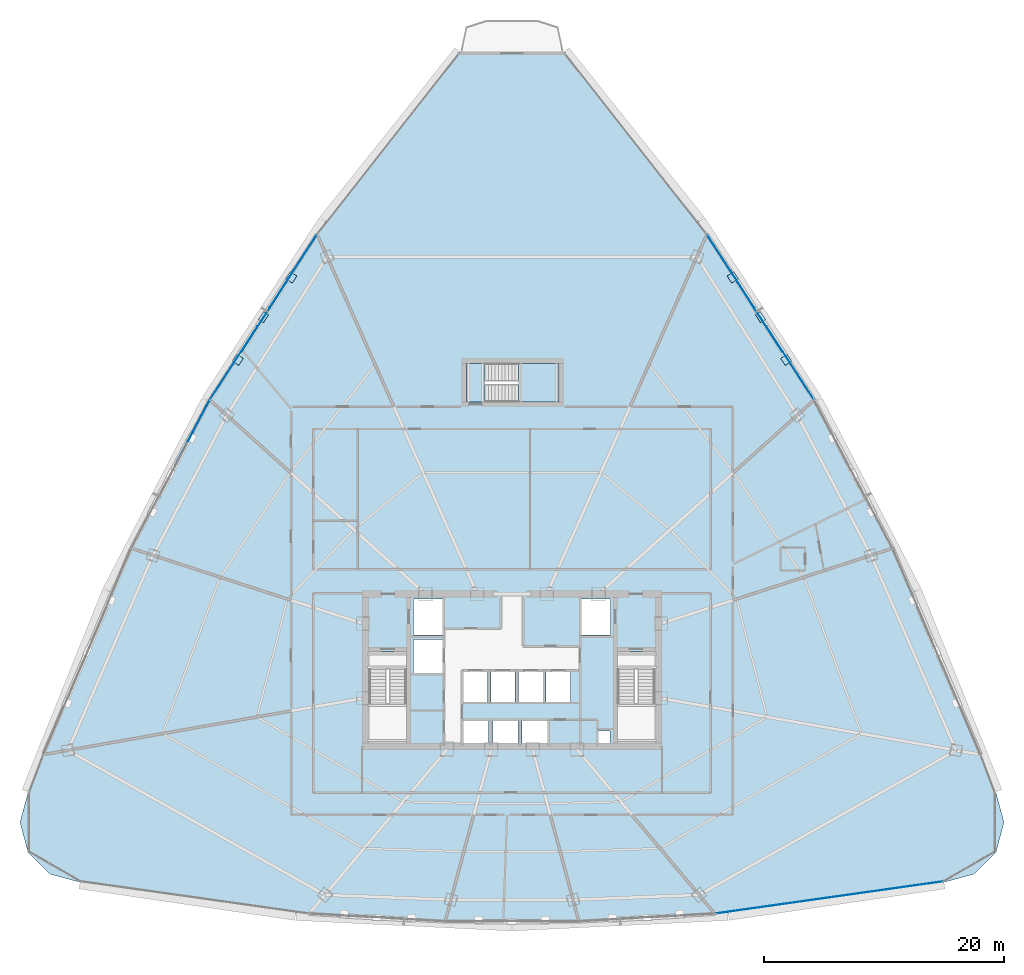
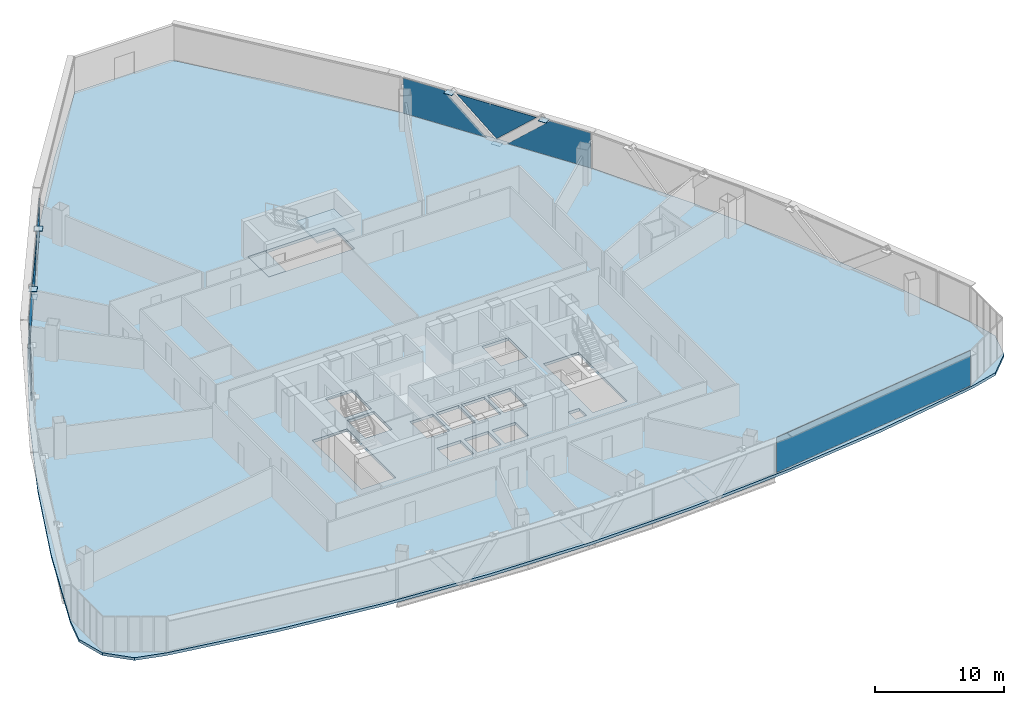
# One storey, part 32 of 42: 14 plates, 3 slabs, 5 elements without a shape of their own.
"""IFC4 building model written with IfcOpenShell, lengths in metres."""

import ifcopenshell
import ifcopenshell.guid

model = None  # the IFC model being written
_history = None  # IfcOwnerHistory: only IFC2X3 demands one
_inside = {}  # id of a spatial element -> (the spatial element, [elements in it])
_under = {}  # id of a project, library or spatial element -> (it, [spatial elements below it])
_declared = {}  # id of a project -> (the project, [libraries it declares])
_typed = {}  # id of a type object -> (the type object, [elements of that type])
_made_of = {}  # id of a material, layer set ... -> (it, [elements and type objects made of it])


def new_model(schema):
    """Start an empty IFC model of exactly this schema.

    Asked for "IFC4X3", IfcOpenShell would pick the latest addendum, in which some entities
    have other attributes; the version numbers below select the first issue.
    IFC2X3 requires an IfcOwnerHistory on every rooted entity: one is made here for all.
    """
    global model, _history
    if schema == "IFC4X3":
        model = ifcopenshell.file(schema_version=(4, 3, 0, 0))
    else:
        model = ifcopenshell.file(schema=schema)
    _inside.clear()
    _under.clear()
    _declared.clear()
    _typed.clear()
    _made_of.clear()
    _history = None
    if model.schema == "IFC2X3":
        org = make("IfcOrganization", Name="unknown")
        user = make(
            "IfcPersonAndOrganization",
            ThePerson=make("IfcPerson", FamilyName="unknown"),
            TheOrganization=org,
        )
        app = make(
            "IfcApplication",
            ApplicationDeveloper=org,
            Version="unknown",
            ApplicationFullName="unknown",
            ApplicationIdentifier="unknown",
        )
        _history = make(
            "IfcOwnerHistory",
            OwningUser=user,
            OwningApplication=app,
            ChangeAction="ADDED",
            CreationDate=0,
        )
    return model


def make(cls, **values):
    """One entity of the class cls with the attributes given. An attribute that is None is left unset."""
    return model.create_entity(
        cls, **{name: value for name, value in values.items() if value is not None}
    )


def rooted(cls, **values):
    """An entity with a GlobalId (a new one), such as an element, a storey or a relation."""
    return make(cls, GlobalId=ifcopenshell.guid.new(), OwnerHistory=_history, **values)


def si_unit(unit_type, name, prefix=None):
    """IfcSIUnit, for example si_unit("LENGTHUNIT", "METRE", prefix="MILLI")."""
    return make("IfcSIUnit", UnitType=unit_type, Prefix=prefix, Name=name)


def assignment(units):
    """IfcUnitAssignment: the units of a project."""
    return None if units is None else make("IfcUnitAssignment", Units=units)


def point(xyz):
    """IfcCartesianPoint."""
    return None if xyz is None else make("IfcCartesianPoint", Coordinates=xyz)


def direction(xyz):
    """IfcDirection."""
    return None if xyz is None else make("IfcDirection", DirectionRatios=xyz)


def frame(location, z_axis=None, x_axis=None):
    """IfcAxis2Placement3D, a coordinate frame: its origin and axes. An axis left out is left unset."""
    return make(
        "IfcAxis2Placement3D",
        Location=point(location),
        Axis=direction(z_axis),
        RefDirection=direction(x_axis),
    )


def frame_2d(location, x_axis=None):
    """IfcAxis2Placement2D, a coordinate frame in the plane: its origin and x axis."""
    return make(
        "IfcAxis2Placement2D", Location=point(location), RefDirection=direction(x_axis)
    )


def origin():
    """The frame at (0, 0, 0) with its axes left unset."""
    return frame((0.0, 0.0, 0.0))


def origin_2d():
    """The frame at (0, 0) in the plane with its x axis left unset."""
    return frame_2d((0.0, 0.0))


def place(relative_to, where):
    """IfcLocalPlacement: puts the frame where relative to a parent placement (None: the world)."""
    return make(
        "IfcLocalPlacement", PlacementRelTo=relative_to, RelativePlacement=where
    )


def context(
    kind, dimensions, precision=None, world=None, true_north=None, identifier=None
):
    """IfcGeometricRepresentationContext, for example the 3D "Model" context."""
    return make(
        "IfcGeometricRepresentationContext",
        ContextIdentifier=identifier,
        ContextType=kind,
        CoordinateSpaceDimension=dimensions,
        Precision=precision,
        WorldCoordinateSystem=world,
        TrueNorth=true_north,
    )


def subcontext(parent, identifier, kind, view, scale=None):
    """IfcGeometricRepresentationSubContext, for example "Body" below "Model"."""
    return make(
        "IfcGeometricRepresentationSubContext",
        ContextIdentifier=identifier,
        ContextType=kind,
        ParentContext=parent,
        TargetScale=scale,
        TargetView=view,
    )


def project(units=None, contexts=None):
    """IfcProject with its units and contexts."""
    return rooted(
        "IfcProject",
        Name="project",
        RepresentationContexts=contexts,
        UnitsInContext=assignment(units),
    )


def spatial(cls, under=None, at=None, **own):
    """A site, building, storey or space (cls), placed at a placement, below another one or the project."""
    s = rooted(cls, ObjectPlacement=at, **own)
    if under is not None:
        _under.setdefault(under.id(), (under, []))[1].append(s)
    return s


def polyline(points):
    """IfcPolyline through the points."""
    return make("IfcPolyline", Points=[point(p) for p in points])


def profile(cls, at=None, kind="AREA", **sizes):
    """A parametric profile (cls). Its sizes go by their IFC names, for example OverallWidth=200.0."""
    return make(cls, ProfileType=kind, Position=at, **sizes)


def rectangle(**sizes):
    """IfcRectangleProfileDef."""
    return profile("IfcRectangleProfileDef", **sizes)


def outline(outer, holes=None, kind="AREA"):
    """IfcArbitraryClosedProfileDef: a profile drawn as a closed curve; with holes, ...WithVoids."""
    if holes is None:
        return make("IfcArbitraryClosedProfileDef", ProfileType=kind, OuterCurve=outer)
    return make(
        "IfcArbitraryProfileDefWithVoids",
        ProfileType=kind,
        OuterCurve=outer,
        InnerCurves=holes,
    )


def extrude(swept, where, along, depth):
    """IfcExtrudedAreaSolid: the profile swept, set in the frame where, extruded along a direction by depth."""
    return make(
        "IfcExtrudedAreaSolid",
        SweptArea=swept,
        Position=where,
        ExtrudedDirection=direction(along),
        Depth=depth,
    )


def shape(context_of_items, identifier, shape_type, items):
    """IfcShapeRepresentation: the items that make up one representation, for example the "Body"."""
    return make(
        "IfcShapeRepresentation",
        ContextOfItems=context_of_items,
        RepresentationIdentifier=identifier,
        RepresentationType=shape_type,
        Items=items,
    )


def source(mapping_origin, context_of_items, identifier, shape_type, items):
    """IfcRepresentationMap: a shape defined once, which mapped items show again and again."""
    return make(
        "IfcRepresentationMap",
        MappingOrigin=mapping_origin,
        MappedRepresentation=shape(context_of_items, identifier, shape_type, items),
    )


def transform(
    local_origin,
    x_axis=None,
    y_axis=None,
    z_axis=None,
    scale=None,
    scale2=None,
    scale3=None,
    uniform=True,
):
    """IfcCartesianTransformationOperator3D, or its non-uniform kind. x_axis, y_axis, z_axis: its Axis1, 2, 3."""
    if uniform:
        return make(
            "IfcCartesianTransformationOperator3D",
            Axis1=direction(x_axis),
            Axis2=direction(y_axis),
            LocalOrigin=point(local_origin),
            Scale=scale,
            Axis3=direction(z_axis),
        )
    return make(
        "IfcCartesianTransformationOperator3DnonUniform",
        Axis1=direction(x_axis),
        Axis2=direction(y_axis),
        LocalOrigin=point(local_origin),
        Scale=scale,
        Axis3=direction(z_axis),
        Scale2=scale2,
        Scale3=scale3,
    )


def mapped(mapping_source, mapping_target):
    """IfcMappedItem: shows the shape of a source again, moved by a transform."""
    return make(
        "IfcMappedItem", MappingSource=mapping_source, MappingTarget=mapping_target
    )


def material(Name=None, Category=None):
    """IfcMaterial."""
    return make("IfcMaterial", Name=Name, Category=Category)


def layer(
    of_material, thickness, ventilated=None, Name=None, Category=None, Priority=None
):
    """IfcMaterialLayer: one layer of a wall or slab, of a material (None: an air gap)."""
    return make(
        "IfcMaterialLayer",
        Material=of_material,
        LayerThickness=thickness,
        IsVentilated=ventilated,
        Name=Name,
        Category=Category,
        Priority=Priority,
    )


def layer_set(layers, Name=None):
    """IfcMaterialLayerSet."""
    return make("IfcMaterialLayerSet", MaterialLayers=layers, LayerSetName=Name)


def made_of(thing, what):
    """Note that an element or type object is made of a material, layer set ...; save() writes the relation."""
    if what is not None:
        _made_of.setdefault(what.id(), (what, []))[1].append(thing)
    return thing


def type_object(cls, material=None, **own):
    """A type object (cls), such as IfcWallType, which elements share."""
    return made_of(rooted(cls, **own), material)


def element(
    cls,
    number,
    at=None,
    inside=None,
    cuts=None,
    type_object=None,
    material=None,
    context=None,
    identifier="Body",
    shape_type=None,
    held_by="IfcProductDefinitionShape",
    body=None,
    shapes=None,
    **own,
):
    """One element of the class cls, such as IfcWall. Its Tag is "e" and its number.

    at: its placement. inside: the storey or other place that contains it. cuts: it is an
    opening in that element (IfcRelVoidsElement). A single representation is given by context,
    identifier, shape_type and body (its items); several are given by shapes. held_by: the class
    of the entity that holds the representations. save() writes the other relations.
    """
    e = rooted(cls, Tag="e%d" % number, ObjectPlacement=at, **own)
    if body is not None:
        shapes = [shape(context, identifier, shape_type, body)]
    if shapes is not None:
        e.Representation = make(held_by, Representations=shapes)
    if inside is not None:
        _inside.setdefault(inside.id(), (inside, []))[1].append(e)
    if cuts is not None:
        rooted(
            "IfcRelVoidsElement", RelatingBuildingElement=cuts, RelatedOpeningElement=e
        )
    if type_object is not None:
        _typed.setdefault(type_object.id(), (type_object, []))[1].append(e)
    return made_of(e, material)


def aggregate(whole, parts):
    """IfcRelAggregates: a whole, such as a stair, and the parts it consists of."""
    return rooted("IfcRelAggregates", RelatingObject=whole, RelatedObjects=parts)


def save(model, path):
    """Write the relations noted so far, then the file.

    IfcRelAggregates (storeys below a building ...), IfcRelContainedInSpatialStructure (elements
    in a storey), IfcRelDefinesByType, IfcRelAssociatesMaterial and IfcRelDeclares: one each for
    every whole, place, type object, material and project.
    """
    for whole, parts in _under.values():
        aggregate(whole, parts)
    for where, things in _inside.values():
        rooted(
            "IfcRelContainedInSpatialStructure",
            RelatedElements=things,
            RelatingStructure=where,
        )
    for kind, things in _typed.values():
        rooted("IfcRelDefinesByType", RelatedObjects=things, RelatingType=kind)
    for what, things in _made_of.values():
        rooted("IfcRelAssociatesMaterial", RelatedObjects=things, RelatingMaterial=what)
    for by, libraries in _declared.values():
        rooted("IfcRelDeclares", RelatingContext=by, RelatedDefinitions=libraries)
    model.write(path)


model = new_model("IFC4")

# Units and contexts
model_context = context("Model", 3, precision=1e-05, world=origin(), true_north=direction((0.0, 1.0)))
body_context = subcontext(model_context, "Body", "Model", "MODEL_VIEW")
ifc_project = project(units=[si_unit("LENGTHUNIT", "METRE"), si_unit("AREAUNIT", "SQUARE_METRE"), si_unit("VOLUMEUNIT", "CUBIC_METRE"), si_unit("PLANEANGLEUNIT", "RADIAN"), si_unit("MASSUNIT", "GRAM", prefix="KILO"), si_unit("THERMODYNAMICTEMPERATUREUNIT", "KELVIN"), si_unit("POWERUNIT", "WATT")], contexts=[model_context])

# Site, building, storey
site_placement = place(None, origin())
site = spatial("IfcSite", under=ifc_project, at=site_placement, CompositionType="ELEMENT")
building_placement = place(site_placement, origin())
building = spatial("IfcBuilding", under=site, at=building_placement, Name="Yunzhuo Pagoda Commons", CompositionType="ELEMENT")
storey_placement = place(building_placement, frame((0.0, 0.0, 137.18994140625)))
storey = spatial("IfcBuildingStorey", under=building, at=storey_placement, Name="L34", CompositionType="ELEMENT", Elevation=137.18994140625)

# Curtain wall, plates
ifc_material_1 = material(Name="Anodized aluminium 6063-T6", Category="aluminium")
ifc_layer_1 = layer(ifc_material_1, 0.14990234375)
ifc_layer_set_1 = layer_set([ifc_layer_1], Name="Anodized aluminium 6063-T6")
curtain_wall_type = type_object("IfcCurtainWallType", Name="CW-MID Mid-Zone Ribbon Curtain Wall", PredefinedType="NOTDEFINED", material=ifc_layer_set_1)
curtain_wall_1_placement = place(storey_placement, origin())
curtain_wall_1 = element("IfcCurtainWall", 1, at=curtain_wall_1_placement, inside=storey, type_object=curtain_wall_type, Name="L34 curtain wall CW-L34-F2B4", PredefinedType="NOTDEFINED")
ifc_material_2 = material(Name="Tempered low-e double glazing", Category="glass")
ifc_layer_2 = layer(ifc_material_2, 0.028076171875)
ifc_layer_set_2 = layer_set([ifc_layer_2], Name="Tempered low-e double glazing")
plate_type_1 = type_object("IfcPlateType", Name="CW-MID-P Low-E Double Glazing 28", PredefinedType="CURTAIN_PANEL", material=ifc_layer_set_2)
plate_1_placement = place(storey_placement, frame((71.161376953125, 59.44677734375, 1.7099609375), z_axis=(0.839249165596, 0.543747034977, 0.0), x_axis=(-0.543747034977, 0.839249165596, 0.0)))
plate_1 = element("IfcPlate", 2, at=plate_1_placement, type_object=plate_type_1, Name="CW panel 1.1 lite 1", PredefinedType="CURTAIN_PANEL", context=body_context, shape_type="SweptSolid", body=[
    extrude(outline(polyline([(-3.619384765625, -1.655029296875), (3.619384765625, -1.655029296875), (-0.077392578125, 1.655029296875), (-3.619384765625, 1.655029296875), (-3.619384765625, -1.655029296875)])), origin(), (0.0, 0.0, 1.0), 0.028076171875),
])
plate_2_placement = place(storey_placement, frame((68.66748046875, 63.2412109375, 1.8076171875), z_axis=(0.839249165596, 0.543747034977, 0.0), x_axis=(-0.543747034977, 0.839249165596, 0.0)))
plate_2 = element("IfcPlate", 3, at=plate_2_placement, type_object=plate_type_1, Name="CW panel 1.1 lite 2", PredefinedType="CURTAIN_PANEL", context=body_context, shape_type="SweptSolid", body=[
    extrude(outline(polyline([(-3.478759765625, 1.5576171875), (0.0, -1.557373046875), (3.478759765625, 1.5576171875), (-3.478759765625, 1.5576171875)])), origin(), (0.0, 0.0, 1.0), 0.028076171875),
])
plate_3_placement = place(storey_placement, frame((66.2236328125, 67.068359375, 1.7099609375), z_axis=(0.839249165596, 0.543747034977, 0.0), x_axis=(-0.543747034977, 0.839249165596, 0.0)))
plate_3 = element("IfcPlate", 4, at=plate_3_placement, type_object=plate_type_1, Name="CW panel 1.1 lite 3", PredefinedType="CURTAIN_PANEL", context=body_context, shape_type="SweptSolid", body=[
    extrude(outline(polyline([(-3.619140625, -1.655029296875), (3.619140625, -1.655029296875), (3.619140625, 1.655029296875), (0.077392578125, 1.655029296875), (-3.619140625, -1.655029296875)])), origin(), (0.0, 0.0, 1.0), 0.028076171875),
])
aggregate(curtain_wall_1, [plate_1, plate_2, plate_3])

curtain_wall_2_placement = place(storey_placement, origin())
curtain_wall_2 = element("IfcCurtainWall", 5, at=curtain_wall_2_placement, inside=storey, type_object=curtain_wall_type, Name="L34 curtain wall CW-L34-F3B2", PredefinedType="NOTDEFINED")
plate_4_placement = place(storey_placement, frame((29.7763671875, 67.068359375, 1.7099609375), z_axis=(-0.839249165596, 0.543747034977, 0.0), x_axis=(-0.543747034977, -0.839249165596, 0.0)))
plate_4 = element("IfcPlate", 6, at=plate_4_placement, type_object=plate_type_1, Name="CW panel 1.1 lite 1", PredefinedType="CURTAIN_PANEL", context=body_context, shape_type="SweptSolid", body=[
    extrude(outline(polyline([(-3.619140625, -1.655029296875), (3.619140625, -1.655029296875), (-0.077392578125, 1.655029296875), (-3.619140625, 1.655029296875), (-3.619140625, -1.655029296875)])), origin(), (0.0, 0.0, 1.0), 0.028076171875),
])
plate_5_placement = place(storey_placement, frame((27.33251953125, 63.2412109375, 1.8076171875), z_axis=(-0.839249165596, 0.543747034977, 0.0), x_axis=(-0.543747034977, -0.839249165596, 0.0)))
plate_5 = element("IfcPlate", 7, at=plate_5_placement, type_object=plate_type_1, Name="CW panel 1.1 lite 2", PredefinedType="CURTAIN_PANEL", context=body_context, shape_type="SweptSolid", body=[
    extrude(outline(polyline([(-3.478759765625, 1.5576171875), (0.0, -1.557373046875), (3.478759765625, 1.5576171875), (-3.478759765625, 1.5576171875)])), origin(), (0.0, 0.0, 1.0), 0.028076171875),
])
plate_6_placement = place(storey_placement, frame((24.838623046875, 59.44677734375, 1.7099609375), z_axis=(-0.839249165596, 0.543747034977, 0.0), x_axis=(-0.543747034977, -0.839249165596, 0.0)))
plate_6 = element("IfcPlate", 8, at=plate_6_placement, type_object=plate_type_1, Name="CW panel 1.1 lite 3", PredefinedType="CURTAIN_PANEL", context=body_context, shape_type="SweptSolid", body=[
    extrude(outline(polyline([(-3.619384765625, -1.655029296875), (3.619384765625, -1.655029296875), (3.619384765625, 1.655029296875), (0.077392578125, 1.655029296875), (-3.619384765625, -1.655029296875)])), origin(), (0.0, 0.0, 1.0), 0.028076171875),
])
aggregate(curtain_wall_2, [plate_4, plate_5, plate_6])

# Curtain wall, plate
curtain_wall_3_placement = place(storey_placement, origin())
curtain_wall_3 = element("IfcCurtainWall", 9, at=curtain_wall_3_placement, inside=storey, type_object=curtain_wall_type, Name="L34 curtain wall CW-L34-F3B3", PredefinedType="NOTDEFINED")
plate_7_placement = place(storey_placement, frame((21.380615234375, 53.607421875, 1.7099609375), z_axis=(-0.883694161172, 0.468064770635, 0.0), x_axis=(-0.468064770635, -0.883694161172, 0.0)))
plate_7 = element("IfcPlate", 10, at=plate_7_placement, type_object=plate_type_1, Name="CW panel 1.1 lite 1", PredefinedType="CURTAIN_PANEL", context=body_context, shape_type="SweptSolid", body=[
    extrude(outline(polyline([(-3.054931640625, -1.655029296875), (3.054931640625, -1.655029296875), (-0.090087890625, 1.655029296875), (-3.054931640625, 1.655029296875), (-3.054931640625, -1.655029296875)])), origin(), (0.0, 0.0, 1.0), 0.028076171875),
])
aggregate(curtain_wall_3, [plate_7])

# Stair, slabs
ifc_material_3 = material(Name="Concrete C40", Category="concrete")
stair_type = type_object("IfcStairType", Name="ST-C3 North Tower Smokeproof Stair ST3", PredefinedType="HALF_TURN_STAIR", material=ifc_material_3)
stair_placement = place(storey_placement, origin())
stair = element("IfcStair", 11, at=stair_placement, inside=storey, type_object=stair_type, Name="L34 North tower smokeproof stair ST3", PredefinedType="HALF_TURN_STAIR")
ifc_layer_3 = layer(ifc_material_3, 0.2041015625)
ifc_layer_set_3 = layer_set([ifc_layer_3], Name="Concrete C40")
slab_type_1 = type_object("IfcSlabType", Name="SL-LND5 North Landing Slab 204", PredefinedType="LANDING", material=ifc_layer_set_3)
slab_1_placement = place(storey_placement, frame((0.0, 0.0, 1.64013671875)))
slab_1 = element("IfcSlab", 12, at=slab_1_placement, type_object=slab_type_1, Name="ST3 landing 1", PredefinedType="LANDING", context=body_context, shape_type="SweptSolid", body=[
    extrude(outline(polyline([(48.550048828125, 56.199951171875), (51.89990234375, 56.199951171875), (51.89990234375, 59.39990234375), (48.550048828125, 59.39990234375), (48.550048828125, 56.199951171875)])), origin(), (0.0, 0.0, 1.0), 0.199951171875),
])
slab_2_placement = place(storey_placement, frame((0.0, 0.0, -0.199951171875)))
slab_2 = element("IfcSlab", 13, at=slab_2_placement, type_object=slab_type_1, Name="ST3 floor landing L34", PredefinedType="LANDING", context=body_context, shape_type="SweptSolid", body=[
    extrude(outline(polyline([(44.199951171875, 56.199951171875), (45.75, 56.199951171875), (45.75, 59.39990234375), (44.199951171875, 59.39990234375), (44.199951171875, 56.199951171875)])), origin(), (0.0, 0.0, 1.0), 0.199951171875),
])
aggregate(stair, [slab_1, slab_2])

# Slab
ifc_layer_4 = layer(ifc_material_3, 0.260009765625)
ifc_layer_set_4 = layer_set([ifc_layer_4], Name="Concrete C40")
slab_type_2 = type_object("IfcSlabType", Name="SL-TWR Typical Tower Floor Slab 260", PredefinedType="FLOOR", material=ifc_layer_set_4)
slab_3_placement = place(storey_placement, frame((0.0, 0.0, -0.260009765625)))
element("IfcSlab", 14, at=slab_3_placement, inside=storey, type_object=slab_type_2, Name="L34 structural floor slab", PredefinedType="FLOOR", context=body_context, shape_type="SweptSolid", body=[
    extrude(outline(polyline([(10.864013671875, 32.16552734375), (14.41943359375, 40.42919921875), (18.353515625, 48.47216796875), (22.665771484375, 56.294189453125), (27.3564453125, 63.895263671875), (32.425537109375, 71.275390625), (37.872802734375, 78.434814453125), (43.69873046875, 85.37353515625), (52.30126953125, 85.37353515625), (58.127197265625, 78.434814453125), (63.574462890625, 71.275390625), (68.6435546875, 63.895263671875), (73.334228515625, 56.294189453125), (77.646484375, 48.47216796875), (81.58056640625, 40.42919921875), (85.135986328125, 32.16552734375), (88.3134765625, 23.680908203125), (88.99267578125, 21.18798828125), (88.331298828125, 18.690185546875), (86.507568359375, 16.85986328125), (84.01220703125, 16.189697265625), (75.009033203125, 14.65625), (66.006103515625, 13.56103515625), (57.0029296875, 12.90380859375), (48.0, 12.684814453125), (38.9970703125, 12.90380859375), (29.993896484375, 13.56103515625), (20.990966796875, 14.65625), (11.98779296875, 16.189697265625), (9.492431640625, 16.85986328125), (7.668701171875, 18.690185546875), (7.00732421875, 21.18798828125), (7.6865234375, 23.680908203125), (10.864013671875, 32.16552734375)]), holes=[polyline([(46.050048828125, 29.64990234375), (43.949951171875, 29.64990234375), (43.949951171875, 27.60009765625), (46.050048828125, 27.60009765625), (46.050048828125, 29.64990234375)]), polyline([(48.5, 27.60009765625), (48.5, 29.64990234375), (46.39990234375, 29.64990234375), (46.39990234375, 27.60009765625), (48.5, 27.60009765625)]), polyline([(36.10009765625, 27.800048828125), (39.199951171875, 27.800048828125), (39.199951171875, 35.39990234375), (36.10009765625, 35.39990234375), (36.10009765625, 27.800048828125)]), polyline([(45.969970703125, 31.199951171875), (45.969970703125, 33.800048828125), (43.929931640625, 33.800048828125), (43.929931640625, 31.199951171875), (45.969970703125, 31.199951171875)]), polyline([(48.27001953125, 31.199951171875), (48.27001953125, 33.800048828125), (46.22998046875, 33.800048828125), (46.22998046875, 31.199951171875), (48.27001953125, 31.199951171875)]), polyline([(42.199951171875, 33.60009765625), (42.199951171875, 36.39990234375), (39.800048828125, 36.39990234375), (39.800048828125, 33.60009765625), (42.199951171875, 33.60009765625)]), polyline([(42.199951171875, 36.800048828125), (42.199951171875, 39.800048828125), (39.800048828125, 39.800048828125), (39.800048828125, 36.800048828125), (42.199951171875, 36.800048828125)]), polyline([(56.179931640625, 28.800048828125), (55.179931640625, 28.800048828125), (55.179931640625, 27.699951171875), (56.179931640625, 27.699951171875), (56.179931640625, 28.800048828125)]), polyline([(50.949951171875, 27.60009765625), (50.949951171875, 29.64990234375), (48.85009765625, 29.64990234375), (48.85009765625, 27.60009765625), (50.949951171875, 27.60009765625)]), polyline([(56.800048828125, 27.800048828125), (59.89990234375, 27.800048828125), (59.89990234375, 35.39990234375), (56.800048828125, 35.39990234375), (56.800048828125, 27.800048828125)]), polyline([(50.570068359375, 31.199951171875), (50.570068359375, 33.800048828125), (48.530029296875, 33.800048828125), (48.530029296875, 31.199951171875), (50.570068359375, 31.199951171875)]), polyline([(52.8701171875, 31.199951171875), (52.8701171875, 33.800048828125), (50.830078125, 33.800048828125), (50.830078125, 31.199951171875), (52.8701171875, 31.199951171875)]), polyline([(56.199951171875, 36.800048828125), (56.199951171875, 39.800048828125), (53.800048828125, 39.800048828125), (53.800048828125, 36.800048828125), (56.199951171875, 36.800048828125)]), polyline([(51.89990234375, 56.199951171875), (51.89990234375, 59.39990234375), (44.199951171875, 59.39990234375), (44.199951171875, 56.199951171875), (51.89990234375, 56.199951171875)])]), origin(), (0.0, 0.0, 1.0), 0.260009765625),
])

# Plates
ifc_material_4 = material(Name="Structural steel Q355B", Category="steel")
ifc_layer_5 = layer(ifc_material_4, 0.028076171875)
ifc_layer_set_5 = layer_set([ifc_layer_5], Name="Structural steel Q355B")
plate_type_2 = type_object("IfcPlateType", Name="SP-ND1 Lattice Node Cap Plate 800x500x28", PredefinedType="USERDEFINED", material=ifc_layer_set_5)
shared_shape_1 = source(origin(), body_context, "Body", "SweptSolid", [
    extrude(rectangle(XDim=0.800048828125, YDim=0.5, at=origin_2d()), origin(), (0.0, 0.0, 1.0), 0.028076171875),
])
for number, where, z_axis, x_axis, name in (
    (15, (68.704345703125, 63.26513671875, -0.27392578125), (0.0, 0.0, 1.0), (-0.543745835187, 0.839249942935, 0.0), "L34 diamond node plate F2.3A"),
    (16, (27.295654296875, 63.26513671875, -0.27392578125), (0.0, 0.0, 1.0), (-0.543745835187, -0.839249942935, 0.0), "L34 diamond node plate F3.1A"),
):
    element("IfcPlate", number, at=place(storey_placement, frame(where, z_axis=z_axis, x_axis=x_axis)), inside=storey, type_object=plate_type_2, Name=name, ObjectType="STIFFENER_PLATE", PredefinedType="USERDEFINED", context=body_context, shape_type="MappedRepresentation", body=[
        mapped(shared_shape_1, transform((0.0, 0.0, 0.0), scale=1.0)),
    ])
shared_shape_2 = source(origin(), body_context, "Body", "SweptSolid", [
    extrude(rectangle(XDim=0.699951171875, YDim=0.63818359375, at=origin_2d()), origin(), (0.0, 0.0, 1.0), 0.035888671875),
])
for number, where, z_axis, x_axis, name in (
    (17, (70.843994140625, 59.707763671875, 3.38232421875), (0.0, 0.0, 1.0), (-0.543745835187, 0.839249942935, 0.0), "L34 setback lattice tie plate F2.3L"),
    (18, (25.156005859375, 59.707763671875, 3.38232421875), (0.0, 0.0, 1.0), (-0.543745835187, -0.839249942935, 0.0), "L34 setback lattice tie plate F3.1R"),
):
    element("IfcPlate", number, at=place(storey_placement, frame(where, z_axis=z_axis, x_axis=x_axis)), inside=storey, type_object=plate_type_2, Name=name, ObjectType="STIFFENER_PLATE", PredefinedType="USERDEFINED", context=body_context, shape_type="MappedRepresentation", body=[
        mapped(shared_shape_2, transform((0.0, 0.0, 0.0), scale=1.0)),
    ])
shared_shape_3 = source(origin(), body_context, "Body", "SweptSolid", [
    extrude(rectangle(XDim=0.699951171875, YDim=0.662353515625, at=origin_2d()), origin(), (0.0, 0.0, 1.0), 0.035888671875),
])
for number, where, z_axis, x_axis, name in (
    (19, (66.393310546875, 66.578125, 3.38232421875), (0.0, 0.0, 1.0), (-0.543745835187, 0.839249942935, 0.0), "L34 setback lattice tie plate F2.3R"),
    (20, (29.606689453125, 66.578125, 3.38232421875), (0.0, 0.0, 1.0), (-0.543745835187, -0.839249942935, 0.0), "L34 setback lattice tie plate F3.1L"),
):
    element("IfcPlate", number, at=place(storey_placement, frame(where, z_axis=z_axis, x_axis=x_axis)), inside=storey, type_object=plate_type_2, Name=name, ObjectType="STIFFENER_PLATE", PredefinedType="USERDEFINED", context=body_context, shape_type="MappedRepresentation", body=[
        mapped(shared_shape_3, transform((0.0, 0.0, 0.0), scale=1.0)),
    ])

# Curtain wall, plate
curtain_wall_4_placement = place(storey_placement, origin())
curtain_wall_4 = element("IfcCurtainWall", 21, at=curtain_wall_4_placement, inside=storey, type_object=curtain_wall_type, Name="L34 curtain wall CW-L34-F1B5", PredefinedType="NOTDEFINED")
shared_shape_4 = source(origin(), body_context, "Body", "SweptSolid", [
    extrude(rectangle(XDim=19.068359375, YDim=0.028076171875, at=origin_2d()), origin(), (0.0, 0.0, 1.0), 3.31005859375),
])
plate_8_placement = place(storey_placement, frame((74.472412109375, 14.915283203125, 0.054931640625), z_axis=(0.0, 0.0, 1.0), x_axis=(0.990147694104, 0.140026939768, 0.0)))
plate_8 = element("IfcPlate", 22, at=plate_8_placement, type_object=plate_type_1, Name="CW panel 1.1", PredefinedType="CURTAIN_PANEL", context=body_context, shape_type="MappedRepresentation", body=[
    mapped(shared_shape_4, transform((0.0, 0.0, 0.0), scale=1.0)),
])
aggregate(curtain_wall_4, [plate_8])

save(model, "model.ifc")
